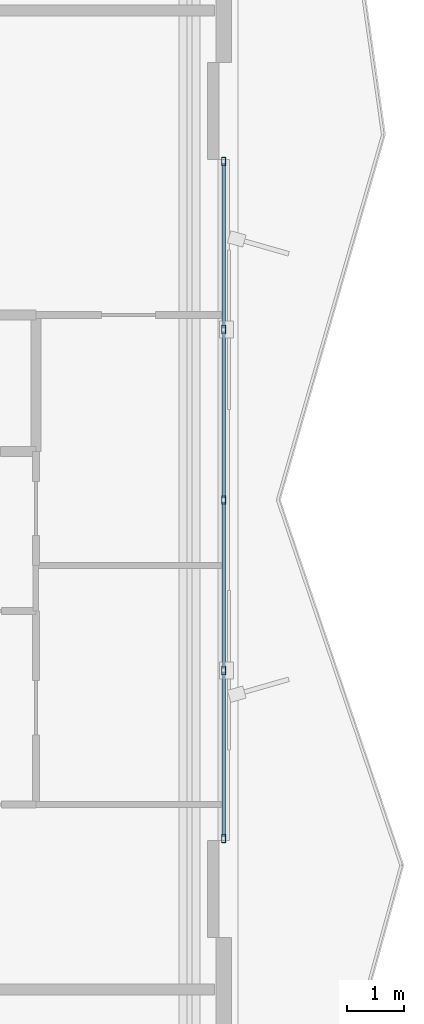
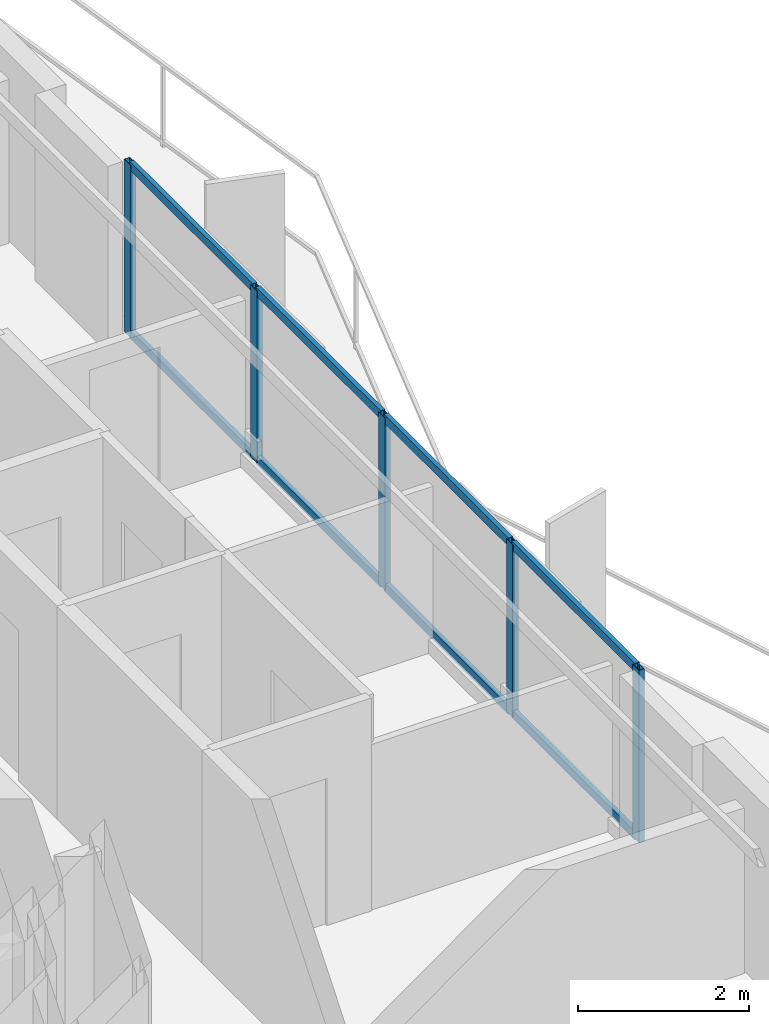
# One storey, part 6 of 18: 13 members, 1 element without a shape of its own.
"""IFC4 building model written with IfcOpenShell, lengths in metres."""

import ifcopenshell
import ifcopenshell.guid

model = None  # the IFC model being written
_history = None  # IfcOwnerHistory: only IFC2X3 demands one
_inside = {}  # id of a spatial element -> (the spatial element, [elements in it])
_under = {}  # id of a project, library or spatial element -> (it, [spatial elements below it])
_declared = {}  # id of a project -> (the project, [libraries it declares])
_typed = {}  # id of a type object -> (the type object, [elements of that type])
_made_of = {}  # id of a material, layer set ... -> (it, [elements and type objects made of it])


def new_model(schema):
    """Start an empty IFC model of exactly this schema.

    Asked for "IFC4X3", IfcOpenShell would pick the latest addendum, in which some entities
    have other attributes; the version numbers below select the first issue.
    IFC2X3 requires an IfcOwnerHistory on every rooted entity: one is made here for all.
    """
    global model, _history
    if schema == "IFC4X3":
        model = ifcopenshell.file(schema_version=(4, 3, 0, 0))
    else:
        model = ifcopenshell.file(schema=schema)
    _inside.clear()
    _under.clear()
    _declared.clear()
    _typed.clear()
    _made_of.clear()
    _history = None
    if model.schema == "IFC2X3":
        org = make("IfcOrganization", Name="unknown")
        user = make(
            "IfcPersonAndOrganization",
            ThePerson=make("IfcPerson", FamilyName="unknown"),
            TheOrganization=org,
        )
        app = make(
            "IfcApplication",
            ApplicationDeveloper=org,
            Version="unknown",
            ApplicationFullName="unknown",
            ApplicationIdentifier="unknown",
        )
        _history = make(
            "IfcOwnerHistory",
            OwningUser=user,
            OwningApplication=app,
            ChangeAction="ADDED",
            CreationDate=0,
        )
    return model


def make(cls, **values):
    """One entity of the class cls with the attributes given. An attribute that is None is left unset."""
    return model.create_entity(
        cls, **{name: value for name, value in values.items() if value is not None}
    )


def rooted(cls, **values):
    """An entity with a GlobalId (a new one), such as an element, a storey or a relation."""
    return make(cls, GlobalId=ifcopenshell.guid.new(), OwnerHistory=_history, **values)


def si_unit(unit_type, name, prefix=None):
    """IfcSIUnit, for example si_unit("LENGTHUNIT", "METRE", prefix="MILLI")."""
    return make("IfcSIUnit", UnitType=unit_type, Prefix=prefix, Name=name)


def assignment(units):
    """IfcUnitAssignment: the units of a project."""
    return None if units is None else make("IfcUnitAssignment", Units=units)


def point(xyz):
    """IfcCartesianPoint."""
    return None if xyz is None else make("IfcCartesianPoint", Coordinates=xyz)


def direction(xyz):
    """IfcDirection."""
    return None if xyz is None else make("IfcDirection", DirectionRatios=xyz)


def frame(location, z_axis=None, x_axis=None):
    """IfcAxis2Placement3D, a coordinate frame: its origin and axes. An axis left out is left unset."""
    return make(
        "IfcAxis2Placement3D",
        Location=point(location),
        Axis=direction(z_axis),
        RefDirection=direction(x_axis),
    )


def frame_2d(location, x_axis=None):
    """IfcAxis2Placement2D, a coordinate frame in the plane: its origin and x axis."""
    return make(
        "IfcAxis2Placement2D", Location=point(location), RefDirection=direction(x_axis)
    )


def origin():
    """The frame at (0, 0, 0) with its axes left unset."""
    return frame((0.0, 0.0, 0.0))


def origin_2d():
    """The frame at (0, 0) in the plane with its x axis left unset."""
    return frame_2d((0.0, 0.0))


def place(relative_to, where):
    """IfcLocalPlacement: puts the frame where relative to a parent placement (None: the world)."""
    return make(
        "IfcLocalPlacement", PlacementRelTo=relative_to, RelativePlacement=where
    )


def context(
    kind, dimensions, precision=None, world=None, true_north=None, identifier=None
):
    """IfcGeometricRepresentationContext, for example the 3D "Model" context."""
    return make(
        "IfcGeometricRepresentationContext",
        ContextIdentifier=identifier,
        ContextType=kind,
        CoordinateSpaceDimension=dimensions,
        Precision=precision,
        WorldCoordinateSystem=world,
        TrueNorth=true_north,
    )


def subcontext(parent, identifier, kind, view, scale=None):
    """IfcGeometricRepresentationSubContext, for example "Body" below "Model"."""
    return make(
        "IfcGeometricRepresentationSubContext",
        ContextIdentifier=identifier,
        ContextType=kind,
        ParentContext=parent,
        TargetScale=scale,
        TargetView=view,
    )


def project(units=None, contexts=None):
    """IfcProject with its units and contexts."""
    return rooted(
        "IfcProject",
        Name="project",
        RepresentationContexts=contexts,
        UnitsInContext=assignment(units),
    )


def spatial(cls, under=None, at=None, **own):
    """A site, building, storey or space (cls), placed at a placement, below another one or the project."""
    s = rooted(cls, ObjectPlacement=at, **own)
    if under is not None:
        _under.setdefault(under.id(), (under, []))[1].append(s)
    return s


def profile(cls, at=None, kind="AREA", **sizes):
    """A parametric profile (cls). Its sizes go by their IFC names, for example OverallWidth=200.0."""
    return make(cls, ProfileType=kind, Position=at, **sizes)


def hollow_rectangle(**sizes):
    """IfcRectangleHollowProfileDef."""
    return profile("IfcRectangleHollowProfileDef", **sizes)


def extrude(swept, where, along, depth):
    """IfcExtrudedAreaSolid: the profile swept, set in the frame where, extruded along a direction by depth."""
    return make(
        "IfcExtrudedAreaSolid",
        SweptArea=swept,
        Position=where,
        ExtrudedDirection=direction(along),
        Depth=depth,
    )


def shape(context_of_items, identifier, shape_type, items):
    """IfcShapeRepresentation: the items that make up one representation, for example the "Body"."""
    return make(
        "IfcShapeRepresentation",
        ContextOfItems=context_of_items,
        RepresentationIdentifier=identifier,
        RepresentationType=shape_type,
        Items=items,
    )


def material(Name=None, Category=None):
    """IfcMaterial."""
    return make("IfcMaterial", Name=Name, Category=Category)


def layer(
    of_material, thickness, ventilated=None, Name=None, Category=None, Priority=None
):
    """IfcMaterialLayer: one layer of a wall or slab, of a material (None: an air gap)."""
    return make(
        "IfcMaterialLayer",
        Material=of_material,
        LayerThickness=thickness,
        IsVentilated=ventilated,
        Name=Name,
        Category=Category,
        Priority=Priority,
    )


def layer_set(layers, Name=None):
    """IfcMaterialLayerSet."""
    return make("IfcMaterialLayerSet", MaterialLayers=layers, LayerSetName=Name)


def material_profile(
    of_material, cross_section, Name=None, Category=None, Priority=None
):
    """IfcMaterialProfile: a cross section and its material."""
    return make(
        "IfcMaterialProfile",
        Name=Name,
        Material=of_material,
        Profile=cross_section,
        Priority=Priority,
        Category=Category,
    )


def profile_set(profiles, Name=None, composite=None):
    """IfcMaterialProfileSet."""
    return make(
        "IfcMaterialProfileSet",
        Name=Name,
        MaterialProfiles=profiles,
        CompositeProfile=composite,
    )


def made_of(thing, what):
    """Note that an element or type object is made of a material, layer set ...; save() writes the relation."""
    if what is not None:
        _made_of.setdefault(what.id(), (what, []))[1].append(thing)
    return thing


def type_object(cls, material=None, **own):
    """A type object (cls), such as IfcWallType, which elements share."""
    return made_of(rooted(cls, **own), material)


def element(
    cls,
    number,
    at=None,
    inside=None,
    cuts=None,
    type_object=None,
    material=None,
    context=None,
    identifier="Body",
    shape_type=None,
    held_by="IfcProductDefinitionShape",
    body=None,
    shapes=None,
    **own,
):
    """One element of the class cls, such as IfcWall. Its Tag is "e" and its number.

    at: its placement. inside: the storey or other place that contains it. cuts: it is an
    opening in that element (IfcRelVoidsElement). A single representation is given by context,
    identifier, shape_type and body (its items); several are given by shapes. held_by: the class
    of the entity that holds the representations. save() writes the other relations.
    """
    e = rooted(cls, Tag="e%d" % number, ObjectPlacement=at, **own)
    if body is not None:
        shapes = [shape(context, identifier, shape_type, body)]
    if shapes is not None:
        e.Representation = make(held_by, Representations=shapes)
    if inside is not None:
        _inside.setdefault(inside.id(), (inside, []))[1].append(e)
    if cuts is not None:
        rooted(
            "IfcRelVoidsElement", RelatingBuildingElement=cuts, RelatedOpeningElement=e
        )
    if type_object is not None:
        _typed.setdefault(type_object.id(), (type_object, []))[1].append(e)
    return made_of(e, material)


def aggregate(whole, parts):
    """IfcRelAggregates: a whole, such as a stair, and the parts it consists of."""
    return rooted("IfcRelAggregates", RelatingObject=whole, RelatedObjects=parts)


def save(model, path):
    """Write the relations noted so far, then the file.

    IfcRelAggregates (storeys below a building ...), IfcRelContainedInSpatialStructure (elements
    in a storey), IfcRelDefinesByType, IfcRelAssociatesMaterial and IfcRelDeclares: one each for
    every whole, place, type object, material and project.
    """
    for whole, parts in _under.values():
        aggregate(whole, parts)
    for where, things in _inside.values():
        rooted(
            "IfcRelContainedInSpatialStructure",
            RelatedElements=things,
            RelatingStructure=where,
        )
    for kind, things in _typed.values():
        rooted("IfcRelDefinesByType", RelatedObjects=things, RelatingType=kind)
    for what, things in _made_of.values():
        rooted("IfcRelAssociatesMaterial", RelatedObjects=things, RelatingMaterial=what)
    for by, libraries in _declared.values():
        rooted("IfcRelDeclares", RelatingContext=by, RelatedDefinitions=libraries)
    model.write(path)


model = new_model("IFC4")

# Units and contexts
model_context = context("Model", 3, precision=1e-05, world=origin(), true_north=direction((0.0, 1.0)))
body_context = subcontext(model_context, "Body", "Model", "MODEL_VIEW")
ifc_project = project(units=[si_unit("LENGTHUNIT", "METRE"), si_unit("AREAUNIT", "SQUARE_METRE"), si_unit("VOLUMEUNIT", "CUBIC_METRE"), si_unit("PLANEANGLEUNIT", "RADIAN"), si_unit("MASSUNIT", "GRAM", prefix="KILO")], contexts=[model_context])

# Site, building, storey
site_placement = place(None, origin())
site = spatial("IfcSite", under=ifc_project, at=site_placement, CompositionType="ELEMENT")
building_placement = place(site_placement, origin())
building = spatial("IfcBuilding", under=site, at=building_placement, Name="Mersakhor Tower and Convention Hall", CompositionType="ELEMENT")
storey_placement = place(building_placement, frame((0.0, 0.0, 39.0)))
storey = spatial("IfcBuildingStorey", under=building, at=storey_placement, Name="L10", CompositionType="ELEMENT", Elevation=39.0)

# Curtain wall, members
ifc_material_1 = material(Name="Dark solar low-E aluminium curtain wall", Category="aluminium")
ifc_layer = layer(ifc_material_1, 0.159912109375)
ifc_layer_set = layer_set([ifc_layer], Name="Dark solar low-E aluminium curtain wall")
curtain_wall_type = type_object("IfcCurtainWallType", Name="CW-SYS-01", PredefinedType="USERDEFINED", material=ifc_layer_set)
curtain_wall_placement = place(storey_placement, origin())
curtain_wall = element("IfcCurtainWall", 1, at=curtain_wall_placement, inside=storey, type_object=curtain_wall_type, Name="L10 Dark-Glass Curtain Wall F2-B2", ObjectType="CURTAIN WALL", PredefinedType="USERDEFINED")
ifc_material_2 = material(Name="Anodised aluminium EN AW-6063 T6", Category="aluminium")
ifc_material_profile_1 = material_profile(ifc_material_2, hollow_rectangle(XDim=0.074951171875, YDim=0.14990234375, WallThickness=0.00634765625, at=origin_2d()), Name="RHS 150x75x6.3")
ifc_profile_set_1 = profile_set([ifc_material_profile_1], Name="Anodised aluminium EN AW-6063 T6")
member_type_1 = type_object("IfcMemberType", Name="CWM-150x75", PredefinedType="MULLION", material=ifc_profile_set_1)
member_1_placement = place(storey_placement, frame((43.85009765625, 32.69921875, 0.199951171875), z_axis=(0.0, 0.0, 1.0), x_axis=(1.0, 0.0, 0.0)))
member_1 = element("IfcMember", 2, at=member_1_placement, type_object=member_type_1, Name="CW-01 mullion 1", PredefinedType="MULLION", context=body_context, shape_type="SweptSolid", body=[
    extrude(hollow_rectangle(XDim=0.074951171875, YDim=0.14990234375, WallThickness=0.00634765625, at=origin_2d()), origin(), (0.0, 0.0, 1.0), 2.4599609375),
])
member_2_placement = place(storey_placement, frame((43.85009765625, 29.743408203125, 0.199951171875), z_axis=(0.0, 0.0, 1.0), x_axis=(1.0, 0.0, 0.0)))
member_2 = element("IfcMember", 3, at=member_2_placement, type_object=member_type_1, Name="CW-01 mullion 2", PredefinedType="MULLION", context=body_context, shape_type="SweptSolid", body=[
    extrude(hollow_rectangle(XDim=0.074951171875, YDim=0.14990234375, WallThickness=0.00634765625, at=origin_2d()), origin(), (0.0, 0.0, 1.0), 2.4599609375),
])
member_3_placement = place(storey_placement, frame((43.85009765625, 26.75, 0.199951171875), z_axis=(0.0, 0.0, 1.0), x_axis=(1.0, 0.0, 0.0)))
member_3 = element("IfcMember", 4, at=member_3_placement, type_object=member_type_1, Name="CW-01 mullion 3", PredefinedType="MULLION", context=body_context, shape_type="SweptSolid", body=[
    extrude(hollow_rectangle(XDim=0.074951171875, YDim=0.14990234375, WallThickness=0.00634765625, at=origin_2d()), origin(), (0.0, 0.0, 1.0), 2.4599609375),
])
member_4_placement = place(storey_placement, frame((43.85009765625, 23.756591796875, 0.199951171875), z_axis=(0.0, 0.0, 1.0), x_axis=(1.0, 0.0, 0.0)))
member_4 = element("IfcMember", 5, at=member_4_placement, type_object=member_type_1, Name="CW-01 mullion 4", PredefinedType="MULLION", context=body_context, shape_type="SweptSolid", body=[
    extrude(hollow_rectangle(XDim=0.074951171875, YDim=0.14990234375, WallThickness=0.00634765625, at=origin_2d()), origin(), (0.0, 0.0, 1.0), 2.4599609375),
])
member_5_placement = place(storey_placement, frame((43.85009765625, 20.80078125, 0.199951171875), z_axis=(0.0, 0.0, 1.0), x_axis=(1.0, 0.0, 0.0)))
member_5 = element("IfcMember", 6, at=member_5_placement, type_object=member_type_1, Name="CW-01 mullion 5", PredefinedType="MULLION", context=body_context, shape_type="SweptSolid", body=[
    extrude(hollow_rectangle(XDim=0.074951171875, YDim=0.14990234375, WallThickness=0.00634765625, at=origin_2d()), origin(), (0.0, 0.0, 1.0), 2.4599609375),
])
ifc_material_3 = material(Name="Anodised aluminium EN AW-6063 T6", Category="aluminium")
ifc_material_profile_2 = material_profile(ifc_material_3, hollow_rectangle(XDim=0.06005859375, YDim=0.1201171875, WallThickness=0.0048828125, at=origin_2d()), Name="RHS 120x60x5")
ifc_profile_set_2 = profile_set([ifc_material_profile_2], Name="Anodised aluminium EN AW-6063 T6")
member_type_2 = type_object("IfcMemberType", Name="CWT-120x60", PredefinedType="USERDEFINED", material=ifc_profile_set_2)
member_6_placement = place(storey_placement, frame((43.85009765625, 32.66162109375, 0.22998046875), z_axis=(0.0, -1.0, 0.0), x_axis=(1.0, 0.0, 0.0)))
member_6 = element("IfcMember", 7, at=member_6_placement, type_object=member_type_2, Name="CW-01 transom 1.1", ObjectType="TRANSOM", PredefinedType="USERDEFINED", context=body_context, shape_type="SweptSolid", body=[
    extrude(hollow_rectangle(XDim=0.06005859375, YDim=0.1201171875, WallThickness=0.0048828125, at=origin_2d()), origin(), (0.0, 0.0, 1.0), 2.880859375),
])
member_7_placement = place(storey_placement, frame((43.85009765625, 32.66162109375, 2.6298828125), z_axis=(0.0, -1.0, 0.0), x_axis=(1.0, 0.0, 0.0)))
member_7 = element("IfcMember", 8, at=member_7_placement, type_object=member_type_2, Name="CW-01 transom 1.2", ObjectType="TRANSOM", PredefinedType="USERDEFINED", context=body_context, shape_type="SweptSolid", body=[
    extrude(hollow_rectangle(XDim=0.06005859375, YDim=0.1201171875, WallThickness=0.0048828125, at=origin_2d()), origin(), (0.0, 0.0, 1.0), 2.880859375),
])
member_8_placement = place(storey_placement, frame((43.85009765625, 29.705810546875, 0.22998046875), z_axis=(0.0, -1.0, 0.0), x_axis=(1.0, 0.0, 0.0)))
member_8 = element("IfcMember", 9, at=member_8_placement, type_object=member_type_2, Name="CW-01 transom 2.1", ObjectType="TRANSOM", PredefinedType="USERDEFINED", context=body_context, shape_type="SweptSolid", body=[
    extrude(hollow_rectangle(XDim=0.06005859375, YDim=0.1201171875, WallThickness=0.0048828125, at=origin_2d()), origin(), (0.0, 0.0, 1.0), 2.918212890625),
])
member_9_placement = place(storey_placement, frame((43.85009765625, 29.705810546875, 2.6298828125), z_axis=(0.0, -1.0, 0.0), x_axis=(1.0, 0.0, 0.0)))
member_9 = element("IfcMember", 10, at=member_9_placement, type_object=member_type_2, Name="CW-01 transom 2.2", ObjectType="TRANSOM", PredefinedType="USERDEFINED", context=body_context, shape_type="SweptSolid", body=[
    extrude(hollow_rectangle(XDim=0.06005859375, YDim=0.1201171875, WallThickness=0.0048828125, at=origin_2d()), origin(), (0.0, 0.0, 1.0), 2.918212890625),
])
member_10_placement = place(storey_placement, frame((43.85009765625, 26.71240234375, 0.22998046875), z_axis=(0.0, -1.0, 0.0), x_axis=(1.0, 0.0, 0.0)))
member_10 = element("IfcMember", 11, at=member_10_placement, type_object=member_type_2, Name="CW-01 transom 3.1", ObjectType="TRANSOM", PredefinedType="USERDEFINED", context=body_context, shape_type="SweptSolid", body=[
    extrude(hollow_rectangle(XDim=0.06005859375, YDim=0.1201171875, WallThickness=0.0048828125, at=origin_2d()), origin(), (0.0, 0.0, 1.0), 2.918212890625),
])
member_11_placement = place(storey_placement, frame((43.85009765625, 26.71240234375, 2.6298828125), z_axis=(0.0, -1.0, 0.0), x_axis=(1.0, 0.0, 0.0)))
member_11 = element("IfcMember", 12, at=member_11_placement, type_object=member_type_2, Name="CW-01 transom 3.2", ObjectType="TRANSOM", PredefinedType="USERDEFINED", context=body_context, shape_type="SweptSolid", body=[
    extrude(hollow_rectangle(XDim=0.06005859375, YDim=0.1201171875, WallThickness=0.0048828125, at=origin_2d()), origin(), (0.0, 0.0, 1.0), 2.918212890625),
])
member_12_placement = place(storey_placement, frame((43.85009765625, 23.71923828125, 0.22998046875), z_axis=(0.0, -1.0, 0.0), x_axis=(1.0, 0.0, 0.0)))
member_12 = element("IfcMember", 13, at=member_12_placement, type_object=member_type_2, Name="CW-01 transom 4.1", ObjectType="TRANSOM", PredefinedType="USERDEFINED", context=body_context, shape_type="SweptSolid", body=[
    extrude(hollow_rectangle(XDim=0.06005859375, YDim=0.1201171875, WallThickness=0.0048828125, at=origin_2d()), origin(), (0.0, 0.0, 1.0), 2.880859375),
])
member_13_placement = place(storey_placement, frame((43.85009765625, 23.71923828125, 2.6298828125), z_axis=(0.0, -1.0, 0.0), x_axis=(1.0, 0.0, 0.0)))
member_13 = element("IfcMember", 14, at=member_13_placement, type_object=member_type_2, Name="CW-01 transom 4.2", ObjectType="TRANSOM", PredefinedType="USERDEFINED", context=body_context, shape_type="SweptSolid", body=[
    extrude(hollow_rectangle(XDim=0.06005859375, YDim=0.1201171875, WallThickness=0.0048828125, at=origin_2d()), origin(), (0.0, 0.0, 1.0), 2.880859375),
])
aggregate(curtain_wall, [member_1, member_2, member_3, member_4, member_5, member_6, member_7, member_8, member_9, member_10, member_11, member_12, member_13])

save(model, "model.ifc")
